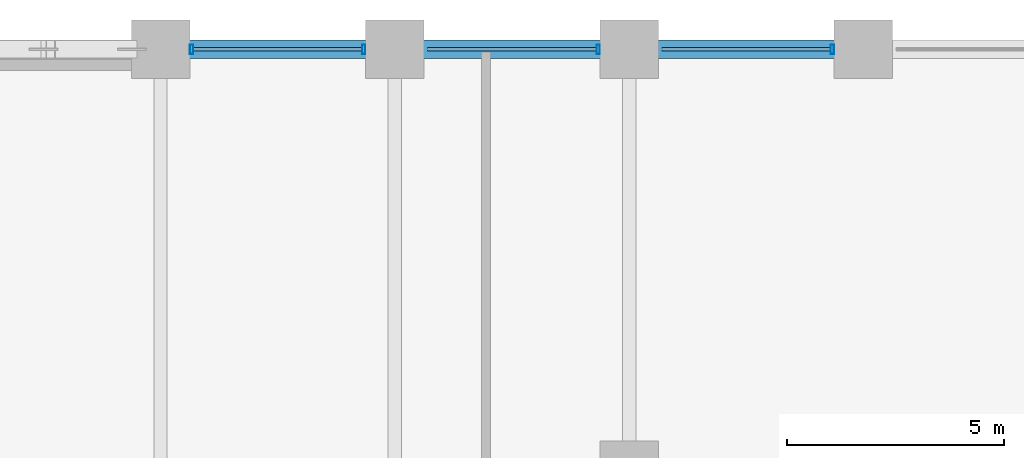
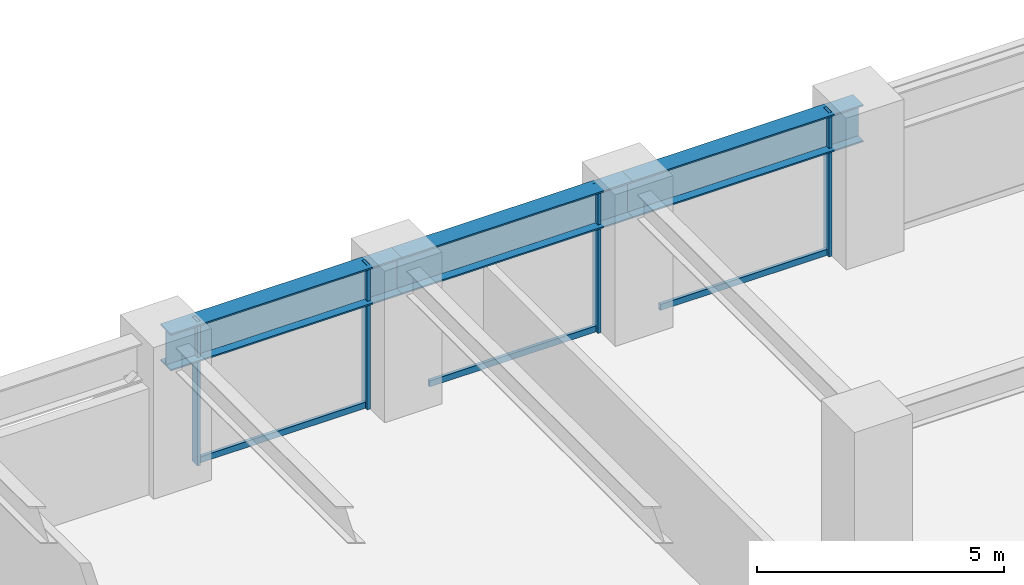
# One storey, part 15 of 24: 7 members, 3 beams, 1 element without a shape of its own.
"""IFC4 building model written with IfcOpenShell, lengths in metres."""

from ifc_helpers import new_model, si_unit, direction, frame, origin, origin_2d, place, context, subcontext, project, spatial, hollow_rectangle, i_section, extrude, material, layer, layer_set, material_profile, profile_set, type_object, element, aggregate, save


model = new_model("IFC4")

# Units and contexts
model_context = context("Model", 3, precision=1e-05, world=origin(), true_north=direction((0.0, 1.0)))
body_context = subcontext(model_context, "Body", "Model", "MODEL_VIEW")
ifc_project = project(units=[si_unit("LENGTHUNIT", "METRE"), si_unit("AREAUNIT", "SQUARE_METRE"), si_unit("VOLUMEUNIT", "CUBIC_METRE"), si_unit("PLANEANGLEUNIT", "RADIAN"), si_unit("MASSUNIT", "GRAM", prefix="KILO")], contexts=[model_context])

# Site, building, storey
site_placement = place(None, origin())
site = spatial("IfcSite", under=ifc_project, at=site_placement, CompositionType="ELEMENT")
building_placement = place(site_placement, origin())
building = spatial("IfcBuilding", under=site, at=building_placement, Name="Surkhivell Harbour Commons", CompositionType="ELEMENT")
storey_placement = place(building_placement, frame((0.0, 0.0, 26.25)))
storey = spatial("IfcBuildingStorey", under=building, at=storey_placement, Name="L06", CompositionType="ELEMENT", Elevation=26.25)

# Beams
ifc_material_1 = material(Name="Steel S460", Category="steel")
ifc_material_profile_1 = material_profile(ifc_material_1, i_section(OverallWidth=0.419921875, OverallDepth=0.9208984375, WebThickness=0.021484375, FlangeThickness=0.03662109375, at=origin_2d()), Name="UB914x419x388")
ifc_profile_set_1 = profile_set([ifc_material_profile_1], Name="Steel S460")
beam_type = type_object("IfcBeamType", Name="BM-SPN-914A", PredefinedType="SPANDREL", material=ifc_profile_set_1)
beam_1_placement = place(storey_placement, frame((5.39990234375, 25.89990234375, 3.109619140625), z_axis=(1.0, 0.0, 0.0), x_axis=(0.0, 1.0, 0.0)))
element("IfcBeam", 1, at=beam_1_placement, inside=storey, type_object=beam_type, Name="L06 Tube Spandrel (5.4,25.9)", PredefinedType="SPANDREL", context=body_context, shape_type="SweptSolid", body=[
    extrude(i_section(OverallWidth=0.419921875, OverallDepth=0.9208984375, WebThickness=0.021484375, FlangeThickness=0.03662109375, at=origin_2d()), origin(), (0.0, 0.0, 1.0), 5.400146484375),
])
beam_2_placement = place(storey_placement, frame((10.800048828125, 25.89990234375, 3.109619140625), z_axis=(1.0, 0.0, 0.0), x_axis=(0.0, 1.0, 0.0)))
element("IfcBeam", 2, at=beam_2_placement, inside=storey, type_object=beam_type, Name="L06 Tube Spandrel (10.8,25.9)", PredefinedType="SPANDREL", context=body_context, shape_type="SweptSolid", body=[
    extrude(i_section(OverallWidth=0.419921875, OverallDepth=0.9208984375, WebThickness=0.021484375, FlangeThickness=0.03662109375, at=origin_2d()), origin(), (0.0, 0.0, 1.0), 5.39990234375),
])
beam_3_placement = place(storey_placement, frame((16.199951171875, 25.89990234375, 3.109619140625), z_axis=(1.0, 0.0, 0.0), x_axis=(0.0, 1.0, 0.0)))
element("IfcBeam", 3, at=beam_3_placement, inside=storey, type_object=beam_type, Name="L06 Tube Spandrel (16.2,25.9)", PredefinedType="SPANDREL", context=body_context, shape_type="SweptSolid", body=[
    extrude(i_section(OverallWidth=0.419921875, OverallDepth=0.9208984375, WebThickness=0.021484375, FlangeThickness=0.03662109375, at=origin_2d()), origin(), (0.0, 0.0, 1.0), 5.400146484375),
])

# Curtain wall, members
ifc_material_2 = material(Name="Anodised pale-metal aluminium and insulated glazing", Category="aluminium")
ifc_layer = layer(ifc_material_2, 0.219970703125)
ifc_layer_set = layer_set([ifc_layer], Name="Anodised pale-metal aluminium and insulated glazing")
curtain_wall_type = type_object("IfcCurtainWallType", Name="CW-SYS-Z1", PredefinedType="NOTDEFINED", material=ifc_layer_set)
curtain_wall_placement = place(storey_placement, origin())
curtain_wall = element("IfcCurtainWall", 4, at=curtain_wall_placement, inside=storey, type_object=curtain_wall_type, Name="L06 Curtain Wall CW-L06-E07S1", PredefinedType="NOTDEFINED")
ifc_material_3 = material(Name="Anodised pale-metal aluminium alloy 6063-T6", Category="aluminium")
ifc_material_profile_2 = material_profile(ifc_material_3, hollow_rectangle(XDim=0.074951171875, YDim=0.219970703125, WallThickness=0.00390625, at=origin_2d()), Name="ALU-MULL-75x220")
ifc_profile_set_2 = profile_set([ifc_material_profile_2], Name="Anodised pale-metal aluminium alloy 6063-T6")
member_type_1 = type_object("IfcMemberType", Name="CWM-220", PredefinedType="MULLION", material=ifc_profile_set_2)
member_1_placement = place(storey_placement, frame((20.885498046875, 25.89990234375, 0.0), z_axis=(0.0, 0.0, 1.0), x_axis=(-1.0, 0.0, 0.0)))
member_1 = element("IfcMember", 5, at=member_1_placement, type_object=member_type_1, Name="CW-Z1 mullion 2", PredefinedType="MULLION", context=body_context, shape_type="SweptSolid", body=[
    extrude(hollow_rectangle(XDim=0.074951171875, YDim=0.219970703125, WallThickness=0.00390625, at=origin_2d()), origin(), (0.0, 0.0, 1.0), 3.570068359375),
])
member_2_placement = place(storey_placement, frame((15.485595703125, 25.89990234375, 0.0), z_axis=(0.0, 0.0, 1.0), x_axis=(-1.0, 0.0, 0.0)))
member_2 = element("IfcMember", 6, at=member_2_placement, type_object=member_type_1, Name="CW-Z1 mullion 3", PredefinedType="MULLION", context=body_context, shape_type="SweptSolid", body=[
    extrude(hollow_rectangle(XDim=0.074951171875, YDim=0.219970703125, WallThickness=0.00390625, at=origin_2d()), origin(), (0.0, 0.0, 1.0), 3.570068359375),
])
member_3_placement = place(storey_placement, frame((10.08544921875, 25.89990234375, 0.0), z_axis=(0.0, 0.0, 1.0), x_axis=(-1.0, 0.0, 0.0)))
member_3 = element("IfcMember", 7, at=member_3_placement, type_object=member_type_1, Name="CW-Z1 mullion 4", PredefinedType="MULLION", context=body_context, shape_type="SweptSolid", body=[
    extrude(hollow_rectangle(XDim=0.074951171875, YDim=0.219970703125, WallThickness=0.00390625, at=origin_2d()), origin(), (0.0, 0.0, 1.0), 3.570068359375),
])
member_4_placement = place(storey_placement, frame((6.114501953125, 25.89990234375, 0.0), z_axis=(0.0, 0.0, 1.0), x_axis=(-1.0, 0.0, 0.0)))
member_4 = element("IfcMember", 8, at=member_4_placement, type_object=member_type_1, Name="CW-Z1 mullion 5", PredefinedType="MULLION", context=body_context, shape_type="SweptSolid", body=[
    extrude(hollow_rectangle(XDim=0.074951171875, YDim=0.219970703125, WallThickness=0.00390625, at=origin_2d()), origin(), (0.0, 0.0, 1.0), 3.570068359375),
])
ifc_material_profile_3 = material_profile(ifc_material_3, hollow_rectangle(XDim=0.074951171875, YDim=0.14990234375, WallThickness=0.00341796875, at=origin_2d()), Name="ALU-TRAN-75x150")
ifc_profile_set_3 = profile_set([ifc_material_profile_3], Name="Anodised pale-metal aluminium alloy 6063-T6")
member_type_2 = type_object("IfcMemberType", Name="CWT-150", PredefinedType="USERDEFINED", material=ifc_profile_set_3)
member_5_placement = place(storey_placement, frame((20.847900390625, 25.89990234375, 0.074951171875), z_axis=(-1.0, 0.0, 0.0), x_axis=(0.0, -1.0, 0.0)))
member_5 = element("IfcMember", 9, at=member_5_placement, type_object=member_type_2, Name="CW-Z1 transom 2.1", ObjectType="TRANSOM", PredefinedType="USERDEFINED", context=body_context, shape_type="SweptSolid", body=[
    extrude(hollow_rectangle(XDim=0.074951171875, YDim=0.14990234375, WallThickness=0.00341796875, at=origin_2d()), origin(), (0.0, 0.0, 1.0), 3.89599609375),
])
member_6_placement = place(storey_placement, frame((15.447998046875, 25.89990234375, 0.074951171875), z_axis=(-1.0, 0.0, 0.0), x_axis=(0.0, -1.0, 0.0)))
member_6 = element("IfcMember", 10, at=member_6_placement, type_object=member_type_2, Name="CW-Z1 transom 3.1", ObjectType="TRANSOM", PredefinedType="USERDEFINED", context=body_context, shape_type="SweptSolid", body=[
    extrude(hollow_rectangle(XDim=0.074951171875, YDim=0.14990234375, WallThickness=0.00341796875, at=origin_2d()), origin(), (0.0, 0.0, 1.0), 3.89599609375),
])
member_7_placement = place(storey_placement, frame((10.048095703125, 25.89990234375, 0.074951171875), z_axis=(-1.0, 0.0, 0.0), x_axis=(0.0, -1.0, 0.0)))
member_7 = element("IfcMember", 11, at=member_7_placement, type_object=member_type_2, Name="CW-Z1 transom 4.1", ObjectType="TRANSOM", PredefinedType="USERDEFINED", context=body_context, shape_type="SweptSolid", body=[
    extrude(hollow_rectangle(XDim=0.074951171875, YDim=0.14990234375, WallThickness=0.00341796875, at=origin_2d()), origin(), (0.0, 0.0, 1.0), 3.89599609375),
])
aggregate(curtain_wall, [member_1, member_5, member_2, member_6, member_3, member_4, member_7])

save(model, "model.ifc")
